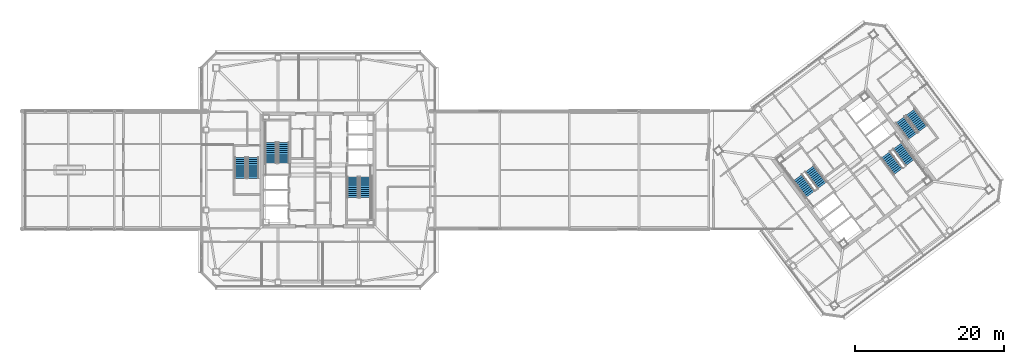
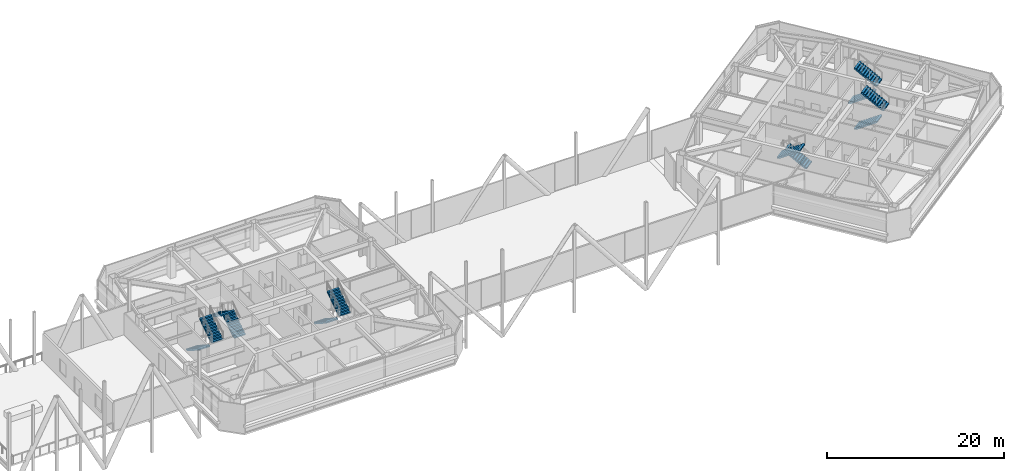
# One storey, part 46 of 53: 12 stair flights, 6 elements without a shape of their own.
"""IFC4 building model written with IfcOpenShell, lengths in metres."""

from ifc_helpers import new_model, si_unit, direction, frame, origin, place, context, subcontext, project, spatial, polyline, outline, extrude, material, type_object, element, aggregate, save


model = new_model("IFC4")

# Units and contexts
model_context = context("Model", 3, precision=1e-05, world=origin(), true_north=direction((0.0, 1.0)))
body_context = subcontext(model_context, "Body", "Model", "MODEL_VIEW")
ifc_project = project(units=[si_unit("LENGTHUNIT", "METRE"), si_unit("AREAUNIT", "SQUARE_METRE"), si_unit("VOLUMEUNIT", "CUBIC_METRE"), si_unit("PLANEANGLEUNIT", "RADIAN"), si_unit("MASSUNIT", "GRAM", prefix="KILO")], contexts=[model_context])

# Site, building, storey
site_placement = place(None, origin())
site = spatial("IfcSite", under=ifc_project, at=site_placement, CompositionType="ELEMENT")
building_placement = place(site_placement, origin())
building = spatial("IfcBuilding", under=site, at=building_placement, Name="Tashvorn Skyway Center", CompositionType="ELEMENT")
storey_placement = place(building_placement, frame((0.0, 0.0, 255.39990234375)))
storey = spatial("IfcBuildingStorey", under=building, at=storey_placement, Name="L69", CompositionType="ELEMENT", Elevation=255.39990234375)

# Stair, stair flights
ifc_material = material(Name="Concrete C40/50", Category="concrete")
stair_type = type_object("IfcStairType", Name="STAIR-CORE-1500", PredefinedType="HALF_TURN_STAIR", material=ifc_material)
stair_1_placement = place(storey_placement, origin())
stair_1 = element("IfcStair", 1, at=stair_1_placement, inside=storey, type_object=stair_type, Name="L69 Tower 1 Exit Stair 1", PredefinedType="HALF_TURN_STAIR")
stair_flight_type = type_object("IfcStairFlightType", Name="SFLIGHT-1500", PredefinedType="STRAIGHT", material=ifc_material)
stair_flight_1_placement = place(storey_placement, frame((37.35009765625, 32.919921875, 0.0), z_axis=(0.0, 0.0, 1.0), x_axis=(0.0, 1.0, 0.0)))
stair_flight_1 = element("IfcStairFlight", 2, at=stair_flight_1_placement, type_object=stair_flight_type, Name="ST-T1-1 flight 1", NumberOfRisers=11, NumberOfTreads=10, PredefinedType="STRAIGHT", RiserHeight=0.181818182, TreadLength=0.28, context=body_context, shape_type="SweptSolid", body=[
    extrude(outline(polyline([(0.0, 0.0), (0.0, 0.181884765625), (0.280029296875, 0.181884765625), (0.280029296875, 0.363525390625), (0.56005859375, 0.363525390625), (0.56005859375, 0.54541015625), (0.840087890625, 0.54541015625), (0.840087890625, 0.727294921875), (1.1201171875, 0.727294921875), (1.1201171875, 0.9091796875), (1.39990234375, 0.9091796875), (1.39990234375, 1.0908203125), (1.679931640625, 1.0908203125), (1.679931640625, 1.272705078125), (1.9599609375, 1.272705078125), (1.9599609375, 1.45458984375), (2.239990234375, 1.45458984375), (2.239990234375, 1.636474609375), (2.52001953125, 1.636474609375), (2.52001953125, 1.818115234375), (2.800048828125, 1.818115234375), (2.800048828125, 2.0), (2.800048828125, 1.639404296875), (0.275146484375, 0.0), (0.0, 0.0)])), frame((0.0, 0.75, 0.0), z_axis=(0.0, -1.0, 0.0), x_axis=(1.0, 0.0, 0.0)), (0.0, 0.0, 1.0), 1.5),
])
stair_flight_2_placement = place(storey_placement, frame((35.64990234375, 35.719970703125, 2.0), z_axis=(0.0, 0.0, 1.0), x_axis=(0.0, -1.0, 0.0)))
stair_flight_2 = element("IfcStairFlight", 3, at=stair_flight_2_placement, type_object=stair_flight_type, Name="ST-T1-1 flight 2", NumberOfRisers=11, NumberOfTreads=10, PredefinedType="STRAIGHT", RiserHeight=0.181818182, TreadLength=0.28, context=body_context, shape_type="SweptSolid", body=[
    extrude(outline(polyline([(0.0, 0.0), (0.0, 0.181884765625), (0.280029296875, 0.181884765625), (0.280029296875, 0.363525390625), (0.56005859375, 0.363525390625), (0.56005859375, 0.54541015625), (0.840087890625, 0.54541015625), (0.840087890625, 0.727294921875), (1.1201171875, 0.727294921875), (1.1201171875, 0.9091796875), (1.39990234375, 0.9091796875), (1.39990234375, 1.0908203125), (1.679931640625, 1.0908203125), (1.679931640625, 1.272705078125), (1.9599609375, 1.272705078125), (1.9599609375, 1.45458984375), (2.239990234375, 1.45458984375), (2.239990234375, 1.636474609375), (2.52001953125, 1.636474609375), (2.52001953125, 1.818115234375), (2.800048828125, 1.818115234375), (2.800048828125, 2.0), (2.800048828125, 1.639404296875), (0.275146484375, 0.0), (0.0, 0.0)])), frame((0.0, 0.75, 0.0), z_axis=(0.0, -1.0, 0.0), x_axis=(1.0, 0.0, 0.0)), (0.0, 0.0, 1.0), 1.5),
])
aggregate(stair_1, [stair_flight_1, stair_flight_2])

stair_2_placement = place(storey_placement, origin())
stair_2 = element("IfcStair", 4, at=stair_2_placement, inside=storey, type_object=stair_type, Name="L69 Tower 1 Exit Stair 2", PredefinedType="HALF_TURN_STAIR")
stair_flight_3_placement = place(storey_placement, frame((46.64990234375, 31.080078125, 0.0), z_axis=(0.0, 0.0, 1.0), x_axis=(0.0, -1.0, 0.0)))
stair_flight_3 = element("IfcStairFlight", 5, at=stair_flight_3_placement, type_object=stair_flight_type, Name="ST-T1-2 flight 1", NumberOfRisers=11, NumberOfTreads=10, PredefinedType="STRAIGHT", RiserHeight=0.181818182, TreadLength=0.28, context=body_context, shape_type="SweptSolid", body=[
    extrude(outline(polyline([(0.0, 0.0), (0.0, 0.181884765625), (0.280029296875, 0.181884765625), (0.280029296875, 0.363525390625), (0.56005859375, 0.363525390625), (0.56005859375, 0.54541015625), (0.840087890625, 0.54541015625), (0.840087890625, 0.727294921875), (1.1201171875, 0.727294921875), (1.1201171875, 0.9091796875), (1.39990234375, 0.9091796875), (1.39990234375, 1.0908203125), (1.679931640625, 1.0908203125), (1.679931640625, 1.272705078125), (1.9599609375, 1.272705078125), (1.9599609375, 1.45458984375), (2.239990234375, 1.45458984375), (2.239990234375, 1.636474609375), (2.52001953125, 1.636474609375), (2.52001953125, 1.818115234375), (2.800048828125, 1.818115234375), (2.800048828125, 2.0), (2.800048828125, 1.639404296875), (0.275146484375, 0.0), (0.0, 0.0)])), frame((0.0, 0.75, 0.0), z_axis=(0.0, -1.0, 0.0), x_axis=(1.0, 0.0, 0.0)), (0.0, 0.0, 1.0), 1.5),
])
stair_flight_4_placement = place(storey_placement, frame((48.35009765625, 28.280029296875, 2.0), z_axis=(0.0, 0.0, 1.0), x_axis=(0.0, 1.0, 0.0)))
stair_flight_4 = element("IfcStairFlight", 6, at=stair_flight_4_placement, type_object=stair_flight_type, Name="ST-T1-2 flight 2", NumberOfRisers=11, NumberOfTreads=10, PredefinedType="STRAIGHT", RiserHeight=0.181818182, TreadLength=0.28, context=body_context, shape_type="SweptSolid", body=[
    extrude(outline(polyline([(0.0, 0.0), (0.0, 0.181884765625), (0.280029296875, 0.181884765625), (0.280029296875, 0.363525390625), (0.56005859375, 0.363525390625), (0.56005859375, 0.54541015625), (0.840087890625, 0.54541015625), (0.840087890625, 0.727294921875), (1.1201171875, 0.727294921875), (1.1201171875, 0.9091796875), (1.39990234375, 0.9091796875), (1.39990234375, 1.0908203125), (1.679931640625, 1.0908203125), (1.679931640625, 1.272705078125), (1.9599609375, 1.272705078125), (1.9599609375, 1.45458984375), (2.239990234375, 1.45458984375), (2.239990234375, 1.636474609375), (2.52001953125, 1.636474609375), (2.52001953125, 1.818115234375), (2.800048828125, 1.818115234375), (2.800048828125, 2.0), (2.800048828125, 1.639404296875), (0.275146484375, 0.0), (0.0, 0.0)])), frame((0.0, 0.75, 0.0), z_axis=(0.0, -1.0, 0.0), x_axis=(1.0, 0.0, 0.0)), (0.0, 0.0, 1.0), 1.5),
])
aggregate(stair_2, [stair_flight_3, stair_flight_4])

stair_3_placement = place(storey_placement, origin())
stair_3 = element("IfcStair", 7, at=stair_3_placement, inside=storey, type_object=stair_type, Name="L69 Tower 2 Exit Stair 1", PredefinedType="HALF_TURN_STAIR")
stair_flight_5_placement = place(storey_placement, frame((109.72802734375, 29.946044921875, 0.0), z_axis=(0.0, 0.0, 1.0), x_axis=(-0.600000004945, 0.799999996291, 0.0)))
stair_flight_5 = element("IfcStairFlight", 8, at=stair_flight_5_placement, type_object=stair_flight_type, Name="ST-T2-1 flight 1", NumberOfRisers=11, NumberOfTreads=10, PredefinedType="STRAIGHT", RiserHeight=0.181818182, TreadLength=0.28, context=body_context, shape_type="SweptSolid", body=[
    extrude(outline(polyline([(0.0, 0.0), (0.0, 0.181884765625), (0.280029296875, 0.181884765625), (0.280029296875, 0.363525390625), (0.56005859375, 0.363525390625), (0.56005859375, 0.54541015625), (0.840087890625, 0.54541015625), (0.840087890625, 0.727294921875), (1.1201171875, 0.727294921875), (1.1201171875, 0.9091796875), (1.39990234375, 0.9091796875), (1.39990234375, 1.0908203125), (1.679931640625, 1.0908203125), (1.679931640625, 1.272705078125), (1.9599609375, 1.272705078125), (1.9599609375, 1.45458984375), (2.239990234375, 1.45458984375), (2.239990234375, 1.636474609375), (2.52001953125, 1.636474609375), (2.52001953125, 1.818115234375), (2.800048828125, 1.818115234375), (2.800048828125, 2.0), (2.800048828125, 1.639404296875), (0.275146484375, 0.0), (0.0, 0.0)])), frame((0.0, 0.75, 0.0), z_axis=(0.0, -1.0, 0.0), x_axis=(1.0, 0.0, 0.0)), (0.0, 0.0, 1.0), 1.5),
])
stair_flight_6_placement = place(storey_placement, frame((106.464111328125, 30.998046875, 2.0), z_axis=(0.0, 0.0, 1.0), x_axis=(0.600000004945, -0.799999996291, 0.0)))
stair_flight_6 = element("IfcStairFlight", 9, at=stair_flight_6_placement, type_object=stair_flight_type, Name="ST-T2-1 flight 2", NumberOfRisers=11, NumberOfTreads=10, PredefinedType="STRAIGHT", RiserHeight=0.181818182, TreadLength=0.28, context=body_context, shape_type="SweptSolid", body=[
    extrude(outline(polyline([(0.0, 0.0), (0.0, 0.181884765625), (0.280029296875, 0.181884765625), (0.280029296875, 0.363525390625), (0.56005859375, 0.363525390625), (0.56005859375, 0.54541015625), (0.840087890625, 0.54541015625), (0.840087890625, 0.727294921875), (1.1201171875, 0.727294921875), (1.1201171875, 0.9091796875), (1.39990234375, 0.9091796875), (1.39990234375, 1.0908203125), (1.679931640625, 1.0908203125), (1.679931640625, 1.272705078125), (1.9599609375, 1.272705078125), (1.9599609375, 1.45458984375), (2.239990234375, 1.45458984375), (2.239990234375, 1.636474609375), (2.52001953125, 1.636474609375), (2.52001953125, 1.818115234375), (2.800048828125, 1.818115234375), (2.800048828125, 2.0), (2.800048828125, 1.639404296875), (0.275146484375, 0.0), (0.0, 0.0)])), frame((0.0, 0.75, 0.0), z_axis=(0.0, -1.0, 0.0), x_axis=(1.0, 0.0, 0.0)), (0.0, 0.0, 1.0), 1.5),
])
aggregate(stair_3, [stair_flight_5, stair_flight_6])

stair_4_placement = place(storey_placement, origin())
stair_4 = element("IfcStair", 10, at=stair_4_placement, inside=storey, type_object=stair_type, Name="L69 Tower 2 Exit Stair 2", PredefinedType="HALF_TURN_STAIR")
stair_flight_7_placement = place(storey_placement, frame((118.27197265625, 34.053955078125, 0.0), z_axis=(0.0, 0.0, 1.0), x_axis=(0.600000004945, -0.799999996291, 0.0)))
stair_flight_7 = element("IfcStairFlight", 11, at=stair_flight_7_placement, type_object=stair_flight_type, Name="ST-T2-2 flight 1", NumberOfRisers=11, NumberOfTreads=10, PredefinedType="STRAIGHT", RiserHeight=0.181818182, TreadLength=0.28, context=body_context, shape_type="SweptSolid", body=[
    extrude(outline(polyline([(0.0, 0.0), (0.0, 0.181884765625), (0.280029296875, 0.181884765625), (0.280029296875, 0.363525390625), (0.56005859375, 0.363525390625), (0.56005859375, 0.54541015625), (0.840087890625, 0.54541015625), (0.840087890625, 0.727294921875), (1.1201171875, 0.727294921875), (1.1201171875, 0.9091796875), (1.39990234375, 0.9091796875), (1.39990234375, 1.0908203125), (1.679931640625, 1.0908203125), (1.679931640625, 1.272705078125), (1.9599609375, 1.272705078125), (1.9599609375, 1.45458984375), (2.239990234375, 1.45458984375), (2.239990234375, 1.636474609375), (2.52001953125, 1.636474609375), (2.52001953125, 1.818115234375), (2.800048828125, 1.818115234375), (2.800048828125, 2.0), (2.800048828125, 1.639404296875), (0.275146484375, 0.0), (0.0, 0.0)])), frame((0.0, 0.75, 0.0), z_axis=(0.0, -1.0, 0.0), x_axis=(1.0, 0.0, 0.0)), (0.0, 0.0, 1.0), 1.5),
])
stair_flight_8_placement = place(storey_placement, frame((121.535888671875, 33.001953125, 2.0), z_axis=(0.0, 0.0, 1.0), x_axis=(-0.600000004945, 0.799999996291, 0.0)))
stair_flight_8 = element("IfcStairFlight", 12, at=stair_flight_8_placement, type_object=stair_flight_type, Name="ST-T2-2 flight 2", NumberOfRisers=11, NumberOfTreads=10, PredefinedType="STRAIGHT", RiserHeight=0.181818182, TreadLength=0.28, context=body_context, shape_type="SweptSolid", body=[
    extrude(outline(polyline([(0.0, 0.0), (0.0, 0.181884765625), (0.280029296875, 0.181884765625), (0.280029296875, 0.363525390625), (0.56005859375, 0.363525390625), (0.56005859375, 0.54541015625), (0.840087890625, 0.54541015625), (0.840087890625, 0.727294921875), (1.1201171875, 0.727294921875), (1.1201171875, 0.9091796875), (1.39990234375, 0.9091796875), (1.39990234375, 1.0908203125), (1.679931640625, 1.0908203125), (1.679931640625, 1.272705078125), (1.9599609375, 1.272705078125), (1.9599609375, 1.45458984375), (2.239990234375, 1.45458984375), (2.239990234375, 1.636474609375), (2.52001953125, 1.636474609375), (2.52001953125, 1.818115234375), (2.800048828125, 1.818115234375), (2.800048828125, 2.0), (2.800048828125, 1.639404296875), (0.275146484375, 0.0), (0.0, 0.0)])), frame((0.0, 0.75, 0.0), z_axis=(0.0, -1.0, 0.0), x_axis=(1.0, 0.0, 0.0)), (0.0, 0.0, 1.0), 1.5),
])
aggregate(stair_4, [stair_flight_7, stair_flight_8])

stair_5_placement = place(storey_placement, origin())
stair_5 = element("IfcStair", 13, at=stair_5_placement, inside=storey, type_object=stair_type, Name="L69 Tower 1 Exit Stair 3", PredefinedType="HALF_TURN_STAIR")
stair_flight_9_placement = place(storey_placement, frame((31.550048828125, 33.679931640625, 0.0), z_axis=(0.0, 0.0, 1.0), x_axis=(0.0, -1.0, 0.0)))
stair_flight_9 = element("IfcStairFlight", 14, at=stair_flight_9_placement, type_object=stair_flight_type, Name="ST-T1-3 flight 1", NumberOfRisers=11, NumberOfTreads=10, PredefinedType="STRAIGHT", RiserHeight=0.181818182, TreadLength=0.28, context=body_context, shape_type="SweptSolid", body=[
    extrude(outline(polyline([(0.0, 0.0), (0.0, 0.181884765625), (0.280029296875, 0.181884765625), (0.280029296875, 0.363525390625), (0.56005859375, 0.363525390625), (0.56005859375, 0.54541015625), (0.840087890625, 0.54541015625), (0.840087890625, 0.727294921875), (1.1201171875, 0.727294921875), (1.1201171875, 0.9091796875), (1.39990234375, 0.9091796875), (1.39990234375, 1.0908203125), (1.679931640625, 1.0908203125), (1.679931640625, 1.272705078125), (1.9599609375, 1.272705078125), (1.9599609375, 1.45458984375), (2.239990234375, 1.45458984375), (2.239990234375, 1.636474609375), (2.52001953125, 1.636474609375), (2.52001953125, 1.818115234375), (2.800048828125, 1.818115234375), (2.800048828125, 2.0), (2.800048828125, 1.639404296875), (0.275146484375, 0.0), (0.0, 0.0)])), frame((0.0, 0.75, 0.0), z_axis=(0.0, -1.0, 0.0), x_axis=(1.0, 0.0, 0.0)), (0.0, 0.0, 1.0), 1.5),
])
stair_flight_10_placement = place(storey_placement, frame((33.25, 30.8798828125, 2.0), z_axis=(0.0, 0.0, 1.0), x_axis=(0.0, 1.0, 0.0)))
stair_flight_10 = element("IfcStairFlight", 15, at=stair_flight_10_placement, type_object=stair_flight_type, Name="ST-T1-3 flight 2", NumberOfRisers=11, NumberOfTreads=10, PredefinedType="STRAIGHT", RiserHeight=0.181818182, TreadLength=0.28, context=body_context, shape_type="SweptSolid", body=[
    extrude(outline(polyline([(0.0, 0.0), (0.0, 0.181884765625), (0.280029296875, 0.181884765625), (0.280029296875, 0.363525390625), (0.56005859375, 0.363525390625), (0.56005859375, 0.54541015625), (0.840087890625, 0.54541015625), (0.840087890625, 0.727294921875), (1.1201171875, 0.727294921875), (1.1201171875, 0.9091796875), (1.39990234375, 0.9091796875), (1.39990234375, 1.0908203125), (1.679931640625, 1.0908203125), (1.679931640625, 1.272705078125), (1.9599609375, 1.272705078125), (1.9599609375, 1.45458984375), (2.239990234375, 1.45458984375), (2.239990234375, 1.636474609375), (2.52001953125, 1.636474609375), (2.52001953125, 1.818115234375), (2.800048828125, 1.818115234375), (2.800048828125, 2.0), (2.800048828125, 1.639404296875), (0.275146484375, 0.0), (0.0, 0.0)])), frame((0.0, 0.75, 0.0), z_axis=(0.0, -1.0, 0.0), x_axis=(1.0, 0.0, 0.0)), (0.0, 0.0, 1.0), 1.5),
])
aggregate(stair_5, [stair_flight_9, stair_flight_10])

stair_6_placement = place(storey_placement, origin())
stair_6 = element("IfcStair", 16, at=stair_6_placement, inside=storey, type_object=stair_type, Name="L69 Tower 2 Exit Stair 3", PredefinedType="HALF_TURN_STAIR")
stair_flight_11_placement = place(storey_placement, frame((120.216064453125, 38.761962890625, 0.0), z_axis=(0.0, 0.0, 1.0), x_axis=(0.600000004945, -0.799999996291, 0.0)))
stair_flight_11 = element("IfcStairFlight", 17, at=stair_flight_11_placement, type_object=stair_flight_type, Name="ST-T2-3 flight 1", NumberOfRisers=11, NumberOfTreads=10, PredefinedType="STRAIGHT", RiserHeight=0.181818182, TreadLength=0.28, context=body_context, shape_type="SweptSolid", body=[
    extrude(outline(polyline([(0.0, 0.0), (0.0, 0.181884765625), (0.280029296875, 0.181884765625), (0.280029296875, 0.363525390625), (0.56005859375, 0.363525390625), (0.56005859375, 0.54541015625), (0.840087890625, 0.54541015625), (0.840087890625, 0.727294921875), (1.1201171875, 0.727294921875), (1.1201171875, 0.9091796875), (1.39990234375, 0.9091796875), (1.39990234375, 1.0908203125), (1.679931640625, 1.0908203125), (1.679931640625, 1.272705078125), (1.9599609375, 1.272705078125), (1.9599609375, 1.45458984375), (2.239990234375, 1.45458984375), (2.239990234375, 1.636474609375), (2.52001953125, 1.636474609375), (2.52001953125, 1.818115234375), (2.800048828125, 1.818115234375), (2.800048828125, 2.0), (2.800048828125, 1.639404296875), (0.275146484375, 0.0), (0.0, 0.0)])), frame((0.0, 0.75, 0.0), z_axis=(0.0, -1.0, 0.0), x_axis=(1.0, 0.0, 0.0)), (0.0, 0.0, 1.0), 1.5),
])
stair_flight_12_placement = place(storey_placement, frame((123.256103515625, 37.5419921875, 2.0), z_axis=(0.0, 0.0, 1.0), x_axis=(-0.600000004945, 0.799999996291, 0.0)))
stair_flight_12 = element("IfcStairFlight", 18, at=stair_flight_12_placement, type_object=stair_flight_type, Name="ST-T2-3 flight 2", NumberOfRisers=11, NumberOfTreads=10, PredefinedType="STRAIGHT", RiserHeight=0.181818182, TreadLength=0.28, context=body_context, shape_type="SweptSolid", body=[
    extrude(outline(polyline([(0.0, 0.0), (0.0, 0.181884765625), (0.280029296875, 0.181884765625), (0.280029296875, 0.363525390625), (0.56005859375, 0.363525390625), (0.56005859375, 0.54541015625), (0.840087890625, 0.54541015625), (0.840087890625, 0.727294921875), (1.1201171875, 0.727294921875), (1.1201171875, 0.9091796875), (1.39990234375, 0.9091796875), (1.39990234375, 1.0908203125), (1.679931640625, 1.0908203125), (1.679931640625, 1.272705078125), (1.9599609375, 1.272705078125), (1.9599609375, 1.45458984375), (2.239990234375, 1.45458984375), (2.239990234375, 1.636474609375), (2.52001953125, 1.636474609375), (2.52001953125, 1.818115234375), (2.800048828125, 1.818115234375), (2.800048828125, 2.0), (2.800048828125, 1.639404296875), (0.275146484375, 0.0), (0.0, 0.0)])), frame((0.0, 0.75, 0.0), z_axis=(0.0, -1.0, 0.0), x_axis=(1.0, 0.0, 0.0)), (0.0, 0.0, 1.0), 1.5),
])
aggregate(stair_6, [stair_flight_11, stair_flight_12])

save(model, "model.ifc")
